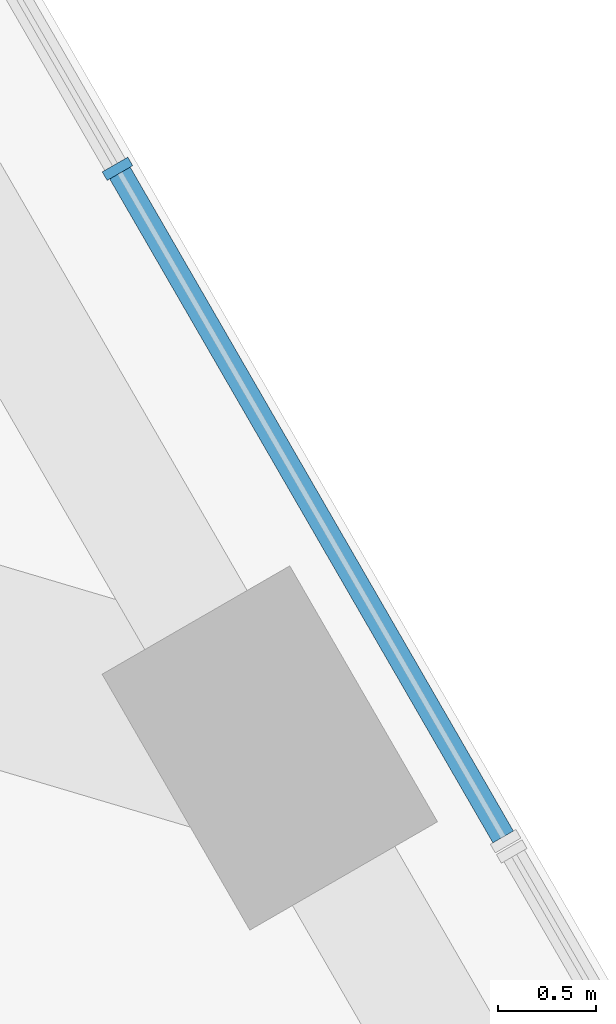
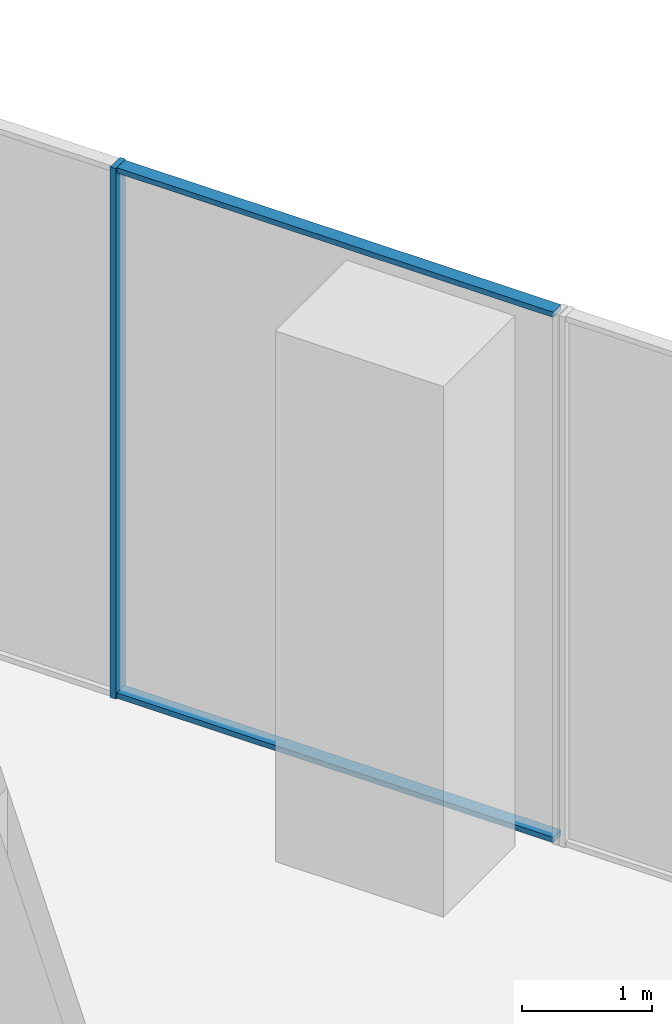
# One storey, part 16 of 29: 3 members, 1 element without a shape of its own.
"""IFC4 building model written with IfcOpenShell, lengths in metres."""

from ifc_helpers import new_model, si_unit, direction, frame, origin, origin_2d, place, context, subcontext, project, spatial, rectangle, extrude, material, layer, layer_set, material_profile, profile_set, type_object, element, aggregate, save


model = new_model("IFC4")

# Units and contexts
model_context = context("Model", 3, precision=1e-05, world=origin(), true_north=direction((0.0, 1.0)))
body_context = subcontext(model_context, "Body", "Model", "MODEL_VIEW")
ifc_project = project(units=[si_unit("LENGTHUNIT", "METRE"), si_unit("AREAUNIT", "SQUARE_METRE"), si_unit("VOLUMEUNIT", "CUBIC_METRE"), si_unit("PLANEANGLEUNIT", "RADIAN"), si_unit("MASSUNIT", "GRAM", prefix="KILO")], contexts=[model_context])

# Site, building, storey
site_placement = place(None, origin())
site = spatial("IfcSite", under=ifc_project, at=site_placement, CompositionType="ELEMENT")
building_placement = place(site_placement, origin())
building = spatial("IfcBuilding", under=site, at=building_placement, Name="Triada Interchange Tower", CompositionType="ELEMENT")
storey_placement = place(building_placement, frame((0.0, 0.0, 19.89990234375)))
storey = spatial("IfcBuildingStorey", under=building, at=storey_placement, Name="L03", CompositionType="ELEMENT", Elevation=19.89990234375)

# Curtain wall, members
ifc_material_1 = material(Name="Aluminium framed glazing", Category="aluminium")
ifc_layer = layer(ifc_material_1, 0.199951171875)
ifc_layer_set = layer_set([ifc_layer], Name="Curtain wall Retail shopfront")
curtain_wall_type = type_object("IfcCurtainWallType", Name="Curtain wall Retail shopfront", PredefinedType="NOTDEFINED", material=ifc_layer_set)
curtain_wall_placement = place(storey_placement, origin())
curtain_wall = element("IfcCurtainWall", 1, at=curtain_wall_placement, inside=storey, type_object=curtain_wall_type, Name="Retail shopfront CW014 L03", PredefinedType="NOTDEFINED")
ifc_material_2 = material(Name="Aluminium", Category="aluminium")
ifc_material_profile_1 = material_profile(ifc_material_2, rectangle(XDim=0.14990234375, YDim=0.050048828125, at=origin_2d()), Name="Aluminium mullion")
ifc_profile_set_1 = profile_set([ifc_material_profile_1], Name="Aluminium")
member_type_1 = type_object("IfcMemberType", Name="Mullion Retail shopfront 150x50", PredefinedType="MULLION", material=ifc_profile_set_1)
member_1_placement = place(storey_placement, frame((29.33154296875, -6.0029296875, 0.0), z_axis=(0.0, 0.0, 1.0), x_axis=(-0.866055473648, -0.499947913852, 0.0)))
member_1 = element("IfcMember", 2, at=member_1_placement, type_object=member_type_1, Name="CW014 mullion 2", PredefinedType="MULLION", context=body_context, shape_type="SweptSolid", body=[
    extrude(rectangle(XDim=0.14990234375, YDim=0.050048828125, at=origin_2d()), origin(), (0.0, 0.0, 1.0), 5.0),
])
ifc_material_profile_2 = material_profile(ifc_material_2, rectangle(XDim=0.1201171875, YDim=0.050048828125, at=origin_2d()), Name="Aluminium transom")
ifc_profile_set_2 = profile_set([ifc_material_profile_2], Name="Aluminium")
member_type_2 = type_object("IfcMemberType", Name="Transom Retail shopfront 120x50", PredefinedType="USERDEFINED", material=ifc_profile_set_2)
member_2_placement = place(storey_placement, frame((31.2900390625, -9.395751953125, 0.025146484375), z_axis=(-0.499950487857, 0.866053987747, 0.0), x_axis=(-0.866053987747, -0.499950487857, 0.0)))
member_2 = element("IfcMember", 3, at=member_2_placement, type_object=member_type_2, Name="CW014 transom 1.1", ObjectType="TRANSOM", PredefinedType="USERDEFINED", context=body_context, shape_type="SweptSolid", body=[
    extrude(rectangle(XDim=0.1201171875, YDim=0.050048828125, at=origin_2d()), origin(), (0.0, 0.0, 1.0), 3.892578125),
])
member_3_placement = place(storey_placement, frame((31.2900390625, -9.395751953125, 4.97509765625), z_axis=(-0.499950487857, 0.866053987747, 0.0), x_axis=(-0.866053987747, -0.499950487857, 0.0)))
member_3 = element("IfcMember", 4, at=member_3_placement, type_object=member_type_2, Name="CW014 transom 1.2", ObjectType="TRANSOM", PredefinedType="USERDEFINED", context=body_context, shape_type="SweptSolid", body=[
    extrude(rectangle(XDim=0.1201171875, YDim=0.050048828125, at=origin_2d()), origin(), (0.0, 0.0, 1.0), 3.892578125),
])
aggregate(curtain_wall, [member_1, member_2, member_3])

save(model, "model.ifc")
